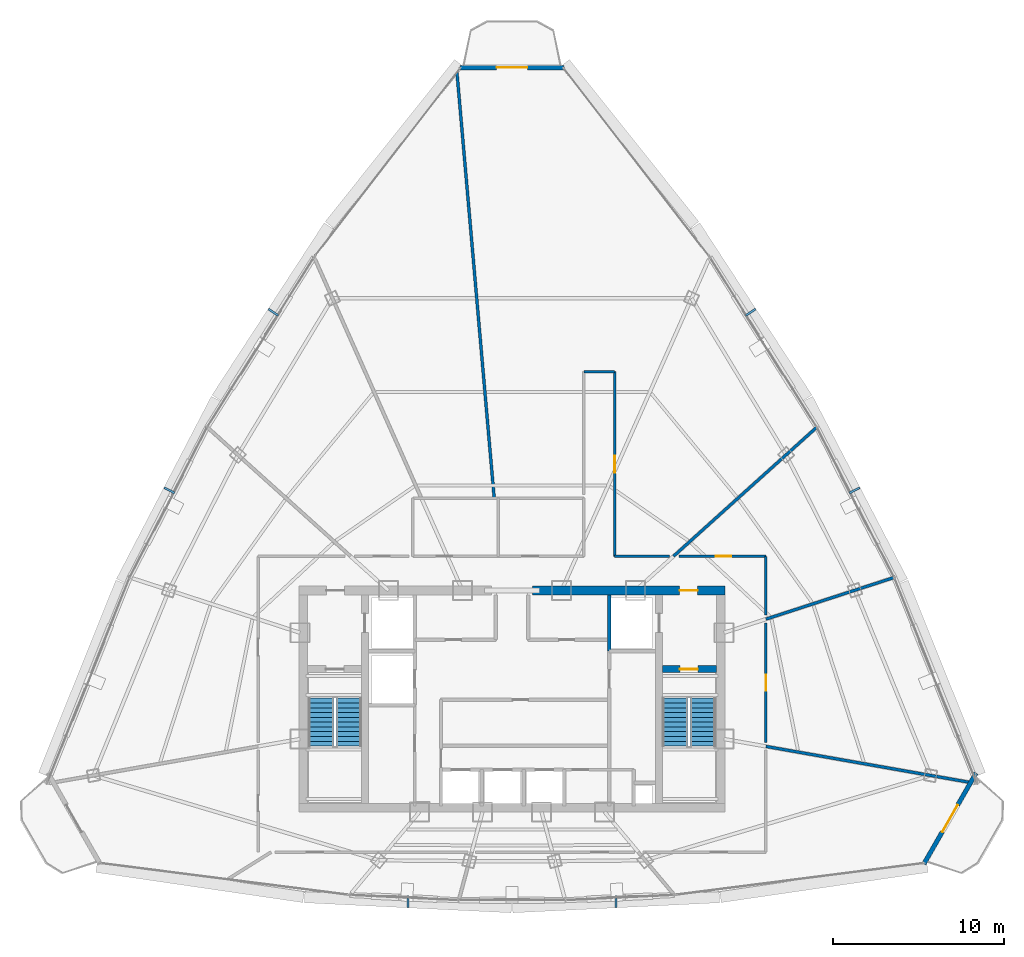
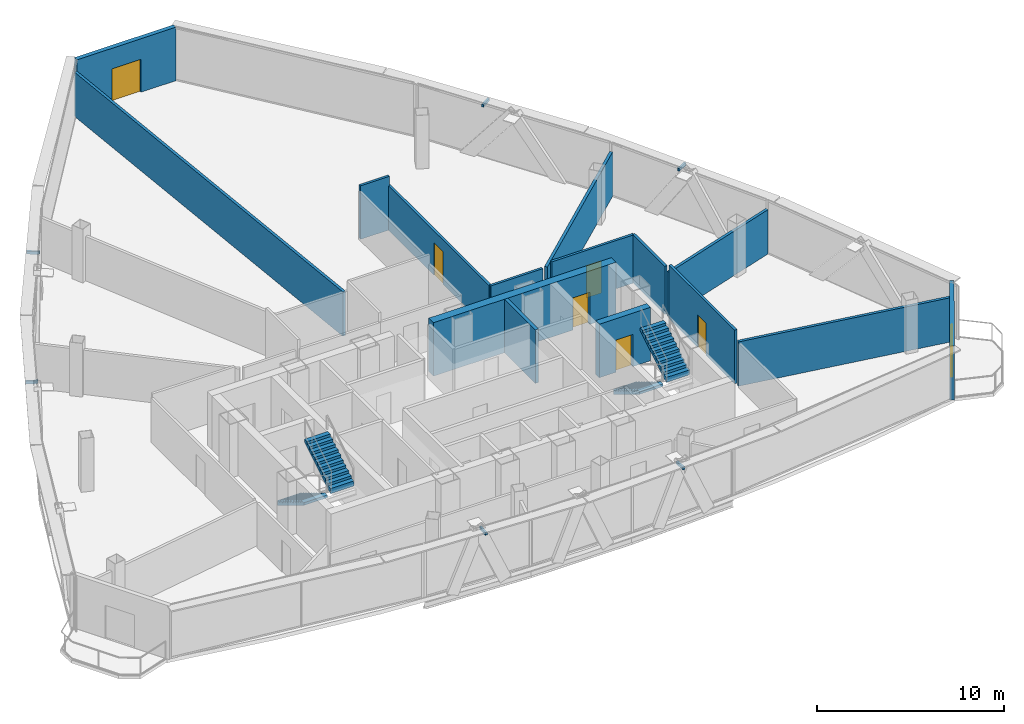
# One storey, part 27 of 30: 15 walls, 7 doors, 6 discrete accessories, 4 stair flights, 7 openings, 2 elements without a shape of their own.
"""IFC4 building model written with IfcOpenShell, lengths in metres."""

from ifc_helpers import new_model, si_unit, direction, frame, frame_2d, origin, origin_with_axes, origin_2d, place, context, subcontext, project, spatial, polyline, rectangle, outline, extrude, source, transform, mapped, material, layer, layer_set, type_object, element, fill, aggregate, save


model = new_model("IFC4")

# Units and contexts
model_context = context("Model", 3, precision=1e-05, world=origin(), true_north=direction((0.0, 1.0)))
body_context = subcontext(model_context, "Body", "Model", "MODEL_VIEW")
ifc_project = project(units=[si_unit("LENGTHUNIT", "METRE"), si_unit("AREAUNIT", "SQUARE_METRE"), si_unit("VOLUMEUNIT", "CUBIC_METRE"), si_unit("PLANEANGLEUNIT", "RADIAN"), si_unit("MASSUNIT", "GRAM", prefix="KILO"), si_unit("THERMODYNAMICTEMPERATUREUNIT", "KELVIN"), si_unit("POWERUNIT", "WATT")], contexts=[model_context])

# Site, building, storey
site_placement = place(None, origin())
site = spatial("IfcSite", under=ifc_project, at=site_placement, CompositionType="ELEMENT")
building_placement = place(site_placement, origin())
building = spatial("IfcBuilding", under=site, at=building_placement, Name="Yunzhuo Pagoda Commons", CompositionType="ELEMENT")
storey_placement = place(building_placement, frame((0.0, 0.0, 355.510009765625)))
storey = spatial("IfcBuildingStorey", under=building, at=storey_placement, Name="L89", CompositionType="ELEMENT", Elevation=355.510009765625)

# Wall, opening, door
ifc_material_1 = material(Name="Precast concrete C40", Category="concrete")
ifc_layer_1 = layer(ifc_material_1, 0.260009765625)
ifc_layer_set_1 = layer_set([ifc_layer_1], Name="Precast concrete C40")
wall_type_1 = type_object("IfcWallType", Name="W-BAL1 Corner Balcony Threshold Wall 260", PredefinedType="STANDARD", material=ifc_layer_set_1)
wall_1_placement = place(storey_placement, frame((72.085693359375, 24.211669921875, 0.0), z_axis=(0.0, 0.0, 1.0), x_axis=(0.49795859982, 0.867200803082, 0.0)))
wall_1 = element("IfcWall", 1, at=wall_1_placement, inside=storey, type_object=wall_type_1, Name="L89 corner balcony wall V2", PredefinedType="STANDARD", context=body_context, shape_type="SweptSolid", body=[
    extrude(rectangle(XDim=6.12255859375, YDim=0.260009765625, at=frame_2d((3.061279296875, 0.0))), origin(), (0.0, 0.0, 1.0), 3.489990234375),
])
opening_1_placement = place(wall_1_placement, frame((2.161376953125, 0.0, 0.0)))
opening_1 = element("IfcOpeningElement", 2, at=opening_1_placement, cuts=wall_1, Name="Opening D-BAL1", PredefinedType="OPENING", context=body_context, shape_type="SweptSolid", body=[
    extrude(rectangle(XDim=1.800048828125, YDim=2.14990234375, at=frame_2d((0.89990234375, 1.074951171875))), frame((0.0, 0.14013671875, 0.0), z_axis=(0.0, -1.0, 0.0), x_axis=(1.0, 0.0, 0.0)), (0.0, 0.0, 1.0), 0.280029296875),
])
ifc_material_2 = material(Name="Anodized aluminium frame and tempered glazed leaf", Category="aluminium")
door_type_1 = type_object("IfcDoorType", Name="D-BAL1 Corner Balcony Sliding Glazed Door 1800x2150", OperationType="DOUBLE_DOOR_SLIDING", PredefinedType="DOOR", material=ifc_material_2)
shared_shape_1 = source(origin(), body_context, "Body", "SweptSolid", [
    extrude(rectangle(XDim=1.800048828125, YDim=2.14990234375, at=frame_2d((0.89990234375, 1.074951171875))), frame((0.0, 0.02490234375, 0.0), z_axis=(0.0, -1.0, 0.0), x_axis=(1.0, 0.0, 0.0)), (0.0, 0.0, 1.0), 0.050048828125),
])
door_1_placement = place(opening_1_placement, origin_with_axes())
door_1 = element("IfcDoor", 3, at=door_1_placement, inside=storey, type_object=door_type_1, Name="L89 corner balcony sliding door V2", OperationType="DOUBLE_DOOR_SLIDING", OverallHeight=2.14990234375, OverallWidth=1.800048828125, PredefinedType="DOOR", context=body_context, shape_type="MappedRepresentation", body=[
    mapped(shared_shape_1, transform((0.0, 0.0, 0.0), scale=1.0)),
])
fill(opening_1, door_1)

wall_2_placement = place(storey_placement, frame((51.04931640625, 70.779052734375, 0.0), z_axis=(0.0, 0.0, 1.0), x_axis=(-1.0, 0.0, 0.0)))
wall_2 = element("IfcWall", 4, at=wall_2_placement, inside=storey, type_object=wall_type_1, Name="L89 corner balcony wall V3", PredefinedType="STANDARD", context=body_context, shape_type="SweptSolid", body=[
    extrude(rectangle(XDim=6.0986328125, YDim=0.260009765625, at=frame_2d((3.04931640625, 0.0))), origin(), (0.0, 0.0, 1.0), 3.489990234375),
])
opening_2_placement = place(wall_2_placement, frame((2.149169921875, 0.0, 0.0)))
opening_2 = element("IfcOpeningElement", 5, at=opening_2_placement, cuts=wall_2, Name="Opening D-BAL1", PredefinedType="OPENING", context=body_context, shape_type="SweptSolid", body=[
    extrude(rectangle(XDim=1.800048828125, YDim=2.14990234375, at=frame_2d((0.89990234375, 1.074951171875))), frame((0.0, 0.14013671875, 0.0), z_axis=(0.0, -1.0, 0.0), x_axis=(1.0, 0.0, 0.0)), (0.0, 0.0, 1.0), 0.280029296875),
])
door_2_placement = place(opening_2_placement, origin_with_axes())
door_2 = element("IfcDoor", 6, at=door_2_placement, inside=storey, type_object=door_type_1, Name="L89 corner balcony sliding door V3", OperationType="DOUBLE_DOOR_SLIDING", OverallHeight=2.14990234375, OverallWidth=1.800048828125, PredefinedType="DOOR", context=body_context, shape_type="MappedRepresentation", body=[
    mapped(shared_shape_1, transform((0.0, 0.0, 0.0), scale=1.0)),
])
fill(opening_2, door_2)

ifc_material_3 = material(Name="Concrete C50", Category="concrete")
ifc_layer_2 = layer(ifc_material_3, 0.5)
ifc_layer_set_2 = layer_set([ifc_layer_2], Name="Concrete C50")
wall_type_2 = type_object("IfcWallType", Name="W-C03 Upper Core Shear Wall 500", PredefinedType="SHEAR", material=ifc_layer_set_2)
wall_3_placement = place(storey_placement, frame((49.199951171875, 40.199951171875, 0.0), z_axis=(0.0, 0.0, 1.0), x_axis=(1.0, 0.0, 0.0)))
wall_3 = element("IfcWall", 7, at=wall_3_placement, inside=storey, type_object=wall_type_2, Name="L89 core shear wall NE", PredefinedType="SHEAR", context=body_context, shape_type="SweptSolid", body=[
    extrude(rectangle(XDim=11.25, YDim=0.5, at=frame_2d((5.625, 0.0))), origin(), (0.0, 0.0, 1.0), 3.489990234375),
])
opening_3_placement = place(wall_3_placement, frame((8.60009765625, 0.0, 0.0)))
opening_3 = element("IfcOpeningElement", 8, at=opening_3_placement, cuts=wall_3, Name="Opening D-02", PredefinedType="OPENING", context=body_context, shape_type="SweptSolid", body=[
    extrude(rectangle(XDim=1.050048828125, YDim=2.10009765625, at=frame_2d((0.52490234375, 1.050048828125))), frame((0.0, 0.260009765625, 0.0), z_axis=(0.0, -1.0, 0.0), x_axis=(1.0, 0.0, 0.0)), (0.0, 0.0, 1.0), 0.52001953125),
])
ifc_material_4 = material(Name="Galvanized fire-resisting metal leaf")
door_type_2 = type_object("IfcDoorType", Name="D-02 Firefighting Lobby & Refuge Fire Door 1050x2100", OperationType="NOTDEFINED", PredefinedType="DOOR", material=ifc_material_4)
shared_shape_2 = source(origin(), body_context, "Body", "SweptSolid", [
    extrude(rectangle(XDim=1.050048828125, YDim=2.10009765625, at=frame_2d((0.52490234375, 1.050048828125))), frame((0.0, 0.02490234375, 0.0), z_axis=(0.0, -1.0, 0.0), x_axis=(1.0, 0.0, 0.0)), (0.0, 0.0, 1.0), 0.050048828125),
])
door_3_placement = place(opening_3_placement, frame((1.050048828125, 0.0, 0.0), z_axis=(0.0, 0.0, 1.0), x_axis=(-1.0, 0.0, 0.0)))
door_3 = element("IfcDoor", 9, at=door_3_placement, inside=storey, type_object=door_type_2, Name="L89 Firefighting Lobby 2 fire door", OperationType="SINGLE_SWING_RIGHT", OverallHeight=2.10009765625, OverallWidth=1.050048828125, PredefinedType="DOOR", context=body_context, shape_type="MappedRepresentation", body=[
    mapped(shared_shape_2, transform((0.0, 0.0, 0.0), scale=1.0)),
])
fill(opening_3, door_3)

# Wall
ifc_material_5 = material(Name="Gypsum plasterboard on acoustic stud")
ifc_layer_3 = layer(ifc_material_5, 0.14990234375)
ifc_layer_set_3 = layer_set([ifc_layer_3], Name="Gypsum plasterboard on acoustic stud")
wall_type_3 = type_object("IfcWallType", Name="W-COR3 High-Zone Rated Corridor Wall 150", PredefinedType="PARTITIONING", material=ifc_layer_set_3)
wall_4_placement = place(storey_placement, frame((52.199951171875, 53.0, 0.0), z_axis=(0.0, 0.0, 1.0), x_axis=(1.0, 0.0, 0.0)))
element("IfcWall", 10, at=wall_4_placement, inside=storey, type_object=wall_type_3, Name="L89 interior wall IW-L89-CWL06", PredefinedType="PARTITIONING", context=body_context, shape_type="SweptSolid", body=[
    extrude(rectangle(XDim=1.800048828125, YDim=0.14990234375, at=frame_2d((0.89990234375, 0.0))), origin(), (0.0, 0.0, 1.0), 3.489990234375),
])

# Wall, opening, door
wall_5_placement = place(storey_placement, frame((54.0, 53.0, 0.0), z_axis=(0.0, 0.0, 1.0), x_axis=(0.0, -1.0, 0.0)))
wall_5 = element("IfcWall", 11, at=wall_5_placement, inside=storey, type_object=wall_type_3, Name="L89 interior wall IW-L89-CWL07", PredefinedType="PARTITIONING", context=body_context, shape_type="SweptSolid", body=[
    extrude(rectangle(XDim=10.800048828125, YDim=0.14990234375, at=frame_2d((5.39990234375, 0.0))), origin(), (0.0, 0.0, 1.0), 2.889892578125),
])
opening_4_placement = place(wall_5_placement, frame((4.925048828125, 0.0, 0.0)))
opening_4 = element("IfcOpeningElement", 12, at=opening_4_placement, cuts=wall_5, Name="Opening D-08", PredefinedType="OPENING", context=body_context, shape_type="SweptSolid", body=[
    extrude(rectangle(XDim=0.97998046875, YDim=2.1201171875, at=frame_2d((0.489990234375, 1.06005859375))), frame((0.0, 0.0849609375, 0.0), z_axis=(0.0, -1.0, 0.0), x_axis=(1.0, 0.0, 0.0)), (0.0, 0.0, 1.0), 0.169921875),
])
door_type_3 = type_object("IfcDoorType", Name="D-08 High-Zone Suite Entrance Fire Door 980x2120", OperationType="NOTDEFINED", PredefinedType="DOOR", material=ifc_material_4)
shared_shape_3 = source(origin(), body_context, "Body", "SweptSolid", [
    extrude(rectangle(XDim=0.97998046875, YDim=2.1201171875, at=frame_2d((0.489990234375, 1.06005859375))), frame((0.0, 0.02490234375, 0.0), z_axis=(0.0, -1.0, 0.0), x_axis=(1.0, 0.0, 0.0)), (0.0, 0.0, 1.0), 0.050048828125),
])
door_4_placement = place(opening_4_placement, origin_with_axes())
door_4 = element("IfcDoor", 13, at=door_4_placement, inside=storey, type_object=door_type_3, Name="L89 Shared Resident Kitchen and Pantry door", OperationType="SINGLE_SWING_LEFT", OverallHeight=2.1201171875, OverallWidth=0.97998046875, PredefinedType="DOOR", context=body_context, shape_type="MappedRepresentation", body=[
    mapped(shared_shape_3, transform((0.0, 0.0, 0.0), scale=1.0)),
])
fill(opening_4, door_4)

# Wall
wall_6_placement = place(storey_placement, frame((54.0, 42.199951171875, 0.0), z_axis=(0.0, 0.0, 1.0), x_axis=(1.0, 0.0, 0.0)))
element("IfcWall", 14, at=wall_6_placement, inside=storey, type_object=wall_type_3, Name="L89 interior wall IW-L89-CWL08", PredefinedType="PARTITIONING", context=body_context, shape_type="SweptSolid", body=[
    extrude(rectangle(XDim=3.220458984375, YDim=0.14990234375, at=frame_2d((1.6103515625, 0.0))), origin(), (0.0, 0.0, 1.0), 2.889892578125),
])

# Wall, opening, door
wall_7_placement = place(storey_placement, frame((57.76904296875, 42.199951171875, 0.0), z_axis=(0.0, 0.0, 1.0), x_axis=(1.0, 0.0, 0.0)))
wall_7 = element("IfcWall", 15, at=wall_7_placement, inside=storey, type_object=wall_type_3, Name="L89 interior wall IW-L89-CWL09", PredefinedType="PARTITIONING", context=body_context, shape_type="SweptSolid", body=[
    extrude(rectangle(XDim=5.0810546875, YDim=0.14990234375, at=frame_2d((2.54052734375, 0.0))), origin(), (0.0, 0.0, 1.0), 3.139892578125),
])
opening_5_placement = place(wall_7_placement, frame((2.14599609375, 0.0, 0.0)))
opening_5 = element("IfcOpeningElement", 16, at=opening_5_placement, cuts=wall_7, Name="Opening D-04", PredefinedType="OPENING", context=body_context, shape_type="SweptSolid", body=[
    extrude(rectangle(XDim=0.919921875, YDim=2.10009765625, at=frame_2d((0.4599609375, 1.050048828125))), frame((0.0, 0.0849609375, 0.0), z_axis=(0.0, -1.0, 0.0), x_axis=(1.0, 0.0, 0.0)), (0.0, 0.0, 1.0), 0.169921875),
])
ifc_material_6 = material(Name="Powder-coated aluminium and timber acoustic leaf", Category="wood")
door_type_4 = type_object("IfcDoorType", Name="D-04 Bedroom & Study Interior Door 920x2100", OperationType="NOTDEFINED", PredefinedType="DOOR", material=ifc_material_6)
shared_shape_4 = source(origin(), body_context, "Body", "SweptSolid", [
    extrude(rectangle(XDim=0.919921875, YDim=2.10009765625, at=frame_2d((0.4599609375, 1.050048828125))), frame((0.0, 0.02490234375, 0.0), z_axis=(0.0, -1.0, 0.0), x_axis=(1.0, 0.0, 0.0)), (0.0, 0.0, 1.0), 0.050048828125),
])
door_5_placement = place(opening_5_placement, origin_with_axes())
door_5 = element("IfcDoor", 17, at=door_5_placement, inside=storey, type_object=door_type_4, Name="L89 seminar room 02 door", OperationType="SINGLE_SWING_RIGHT", OverallHeight=2.10009765625, OverallWidth=0.919921875, PredefinedType="DOOR", context=body_context, shape_type="MappedRepresentation", body=[
    mapped(shared_shape_4, transform((0.0, 0.0, 0.0), scale=1.0)),
])
fill(opening_5, door_5)

# Wall
wall_8_placement = place(storey_placement, frame((62.85009765625, 42.199951171875, 0.0), z_axis=(0.0, 0.0, 1.0), x_axis=(0.0, -1.0, 0.0)))
element("IfcWall", 18, at=wall_8_placement, inside=storey, type_object=wall_type_3, Name="L89 interior wall IW-L89-CWL10", PredefinedType="PARTITIONING", context=body_context, shape_type="SweptSolid", body=[
    extrude(rectangle(XDim=3.443603515625, YDim=0.14990234375, at=frame_2d((1.7216796875, 0.0))), origin(), (0.0, 0.0, 1.0), 3.139892578125),
])

# Wall, opening, door
wall_9_placement = place(storey_placement, frame((62.85009765625, 38.305419921875, 0.0), z_axis=(0.0, 0.0, 1.0), x_axis=(0.0, -1.0, 0.0)))
wall_9 = element("IfcWall", 19, at=wall_9_placement, inside=storey, type_object=wall_type_3, Name="L89 interior wall IW-L89-CWL11", PredefinedType="PARTITIONING", context=body_context, shape_type="SweptSolid", body=[
    extrude(rectangle(XDim=7.004150390625, YDim=0.14990234375, at=frame_2d((3.501953125, 0.0))), origin(), (0.0, 0.0, 1.0), 3.489990234375),
])
opening_6_placement = place(wall_9_placement, frame((3.0419921875, 0.0, 0.0)))
opening_6 = element("IfcOpeningElement", 20, at=opening_6_placement, cuts=wall_9, Name="Opening D-04", PredefinedType="OPENING", context=body_context, shape_type="SweptSolid", body=[
    extrude(rectangle(XDim=0.919921875, YDim=2.10009765625, at=frame_2d((0.4599609375, 1.050048828125))), frame((0.0, 0.0849609375, 0.0), z_axis=(0.0, -1.0, 0.0), x_axis=(1.0, 0.0, 0.0)), (0.0, 0.0, 1.0), 0.169921875),
])
door_6_placement = place(opening_6_placement, origin_with_axes())
door_6 = element("IfcDoor", 21, at=door_6_placement, inside=storey, type_object=door_type_4, Name="L89 seminar room 01 door", OperationType="SINGLE_SWING_LEFT", OverallHeight=2.10009765625, OverallWidth=0.919921875, PredefinedType="DOOR", context=body_context, shape_type="MappedRepresentation", body=[
    mapped(shared_shape_4, transform((0.0, 0.0, 0.0), scale=1.0)),
])
fill(opening_6, door_6)

# Walls
ifc_layer_4 = layer(ifc_material_5, 0.169921875)
ifc_layer_set_4 = layer_set([ifc_layer_4], Name="Gypsum plasterboard on acoustic stud")
wall_type_4 = type_object("IfcWallType", Name="W-PRT4 High-Zone Demising Wall 170", PredefinedType="PARTITIONING", material=ifc_layer_set_4)
wall_10_placement = place(storey_placement, frame((62.85009765625, 38.525146484375, 0.0), z_axis=(0.0, 0.0, 1.0), x_axis=(0.951060216318, 0.309005606642, 0.0)))
element("IfcWall", 22, at=wall_10_placement, inside=storey, type_object=wall_type_4, Name="L89 interior wall IW-L89-RAD01", PredefinedType="PARTITIONING", context=body_context, shape_type="SweptSolid", body=[
    extrude(rectangle(XDim=7.889892578125, YDim=0.169921875, at=frame_2d((3.94482421875, 0.0))), origin(), (0.0, 0.0, 1.0), 2.889892578125),
])
wall_11_placement = place(storey_placement, frame((57.440185546875, 42.199951171875, 0.0), z_axis=(0.0, 0.0, 1.0), x_axis=(0.74314133574, 0.669134482085, 0.0)))
element("IfcWall", 23, at=wall_11_placement, inside=storey, type_object=wall_type_4, Name="L89 interior wall IW-L89-RAD02", PredefinedType="PARTITIONING", context=body_context, shape_type="SweptSolid", body=[
    extrude(rectangle(XDim=11.2822265625, YDim=0.169921875, at=frame_2d((5.64111328125, 0.0))), origin(), (0.0, 0.0, 1.0), 2.889892578125),
])
wall_12_placement = place(storey_placement, frame((46.958984375, 45.60009765625, 0.0), z_axis=(0.0, 0.0, 1.0), x_axis=(-0.087155434332, 0.996194725075, 0.0)))
element("IfcWall", 24, at=wall_12_placement, inside=storey, type_object=wall_type_4, Name="L89 interior wall IW-L89-RAD03", PredefinedType="PARTITIONING", context=body_context, shape_type="SweptSolid", body=[
    extrude(rectangle(XDim=24.98388671875, YDim=0.169921875, at=frame_2d((12.491943359375, 0.0))), origin(), (0.0, 0.0, 1.0), 2.889892578125),
])
wall_13_placement = place(storey_placement, frame((62.85009765625, 31.08154296875, 0.0), z_axis=(0.0, 0.0, 1.0), x_axis=(0.984808019511, -0.173646666272, 0.0)))
element("IfcWall", 25, at=wall_13_placement, inside=storey, type_object=wall_type_4, Name="L89 interior wall IW-L89-RAD10", PredefinedType="PARTITIONING", context=body_context, shape_type="SweptSolid", body=[
    extrude(rectangle(XDim=12.153076171875, YDim=0.169921875, at=frame_2d((6.07666015625, 0.0))), origin(), (0.0, 0.0, 1.0), 2.889892578125),
])

# Wall, opening, door
ifc_material_7 = material(Name="Concrete C60", Category="concrete")
ifc_layer_5 = layer(ifc_material_7, 0.39990234375)
ifc_layer_set_5 = layer_set([ifc_layer_5], Name="Concrete C60")
wall_type_5 = type_object("IfcWallType", Name="W-S01 Internal Core Shear Web 400", PredefinedType="SHEAR", material=ifc_layer_set_5)
wall_14_placement = place(storey_placement, frame((56.800048828125, 35.60009765625, 0.0), z_axis=(0.0, 0.0, 1.0), x_axis=(1.0, 0.0, 0.0)))
wall_14 = element("IfcWall", 26, at=wall_14_placement, inside=storey, type_object=wall_type_5, Name="L89 core shear wall STE", PredefinedType="SHEAR", context=body_context, shape_type="SweptSolid", body=[
    extrude(rectangle(XDim=3.14990234375, YDim=0.39990234375, at=frame_2d((1.574951171875, 0.0))), origin(), (0.0, 0.0, 1.0), 3.489990234375),
])
opening_7_placement = place(wall_14_placement, frame((1.02001953125, 0.0, 0.0)))
opening_7 = element("IfcOpeningElement", 27, at=opening_7_placement, cuts=wall_14, Name="Opening D-01", PredefinedType="OPENING", context=body_context, shape_type="SweptSolid", body=[
    extrude(rectangle(XDim=1.050048828125, YDim=2.10009765625, at=frame_2d((0.52490234375, 1.050048828125))), frame((0.0, 0.2099609375, 0.0), z_axis=(0.0, -1.0, 0.0), x_axis=(1.0, 0.0, 0.0)), (0.0, 0.0, 1.0), 0.419921875),
])
door_type_5 = type_object("IfcDoorType", Name="D-01 Smokeproof Stair Fire Door 1050x2100", OperationType="NOTDEFINED", PredefinedType="DOOR", material=ifc_material_4)
door_7_placement = place(opening_7_placement, frame((1.050048828125, 0.0, 0.0), z_axis=(0.0, 0.0, 1.0), x_axis=(-1.0, 0.0, 0.0)))
door_7 = element("IfcDoor", 28, at=door_7_placement, inside=storey, type_object=door_type_5, Name="L89 Stair ST2 fire door", OperationType="SINGLE_SWING_RIGHT", OverallHeight=2.10009765625, OverallWidth=1.050048828125, PredefinedType="DOOR", context=body_context, shape_type="MappedRepresentation", body=[
    mapped(shared_shape_2, transform((0.0, 0.0, 0.0), scale=1.0)),
])
fill(opening_7, door_7)

# Wall
ifc_material_8 = material(Name="Concrete C40", Category="concrete")
ifc_layer_6 = layer(ifc_material_8, 0.199951171875)
ifc_layer_set_6 = layer_set([ifc_layer_6], Name="Concrete C40")
wall_type_6 = type_object("IfcWallType", Name="W-SHF Shaft & Stair Enclosure Wall 200", PredefinedType="SOLIDWALL", material=ifc_layer_set_6)
wall_15_placement = place(storey_placement, frame((53.679931640625, 36.64990234375, 0.0), z_axis=(0.0, 0.0, 1.0), x_axis=(0.0, 1.0, 0.0)))
element("IfcWall", 29, at=wall_15_placement, inside=storey, type_object=wall_type_6, Name="L89 interior wall IW-L89-FL2W", PredefinedType="SOLIDWALL", context=body_context, shape_type="SweptSolid", body=[
    extrude(rectangle(XDim=3.300048828125, YDim=0.199951171875, at=frame_2d((1.64990234375, 0.0))), origin(), (0.0, 0.0, 1.0), 3.489990234375),
])

# Stair, stair flights
stair_type_1 = type_object("IfcStairType", Name="ST-C1 Core Smokeproof Stair ST1", PredefinedType="HALF_TURN_STAIR", material=ifc_material_8)
stair_1_placement = place(storey_placement, origin())
stair_1 = element("IfcStair", 30, at=stair_1_placement, inside=storey, type_object=stair_type_1, Name="L89 Core smokeproof stair ST1", PredefinedType="HALF_TURN_STAIR")
stair_flight_type_1 = type_object("IfcStairFlightType", Name="STF-C1 Core Stair Flight 1450", PredefinedType="STRAIGHT", material=ifc_material_8)
shared_shape_5 = source(origin(), body_context, "Body", "SweptSolid", [
    extrude(outline(polyline([(0.0, -0.14990234375), (0.0, 0.0), (0.0, 0.17041015625), (0.280029296875, 0.17041015625), (0.280029296875, 0.3408203125), (0.56005859375, 0.3408203125), (0.56005859375, 0.511474609375), (0.840087890625, 0.511474609375), (0.840087890625, 0.681884765625), (1.1201171875, 0.681884765625), (1.1201171875, 0.852294921875), (1.39990234375, 0.852294921875), (1.39990234375, 1.022705078125), (1.679931640625, 1.022705078125), (1.679931640625, 1.193115234375), (1.9599609375, 1.193115234375), (1.9599609375, 1.363525390625), (2.239990234375, 1.363525390625), (2.239990234375, 1.5341796875), (2.52001953125, 1.5341796875), (2.52001953125, 1.70458984375), (2.800048828125, 1.70458984375), (2.800048828125, 1.875), (2.800048828125, 1.529052734375), (0.288330078125, 0.0), (0.050048828125, -0.14990234375), (0.0, -0.14990234375)])), frame((0.0, 0.72509765625, 0.0), z_axis=(0.0, -1.0, 0.0), x_axis=(1.0, 0.0, 0.0)), (0.0, 0.0, 1.0), 1.449951171875),
])
stair_flight_1_placement = place(storey_placement, frame((36.824951171875, 33.89990234375, 0.0), z_axis=(0.0, 0.0, 1.0), x_axis=(0.0, -1.0, 0.0)))
stair_flight_1 = element("IfcStairFlight", 31, at=stair_flight_1_placement, type_object=stair_flight_type_1, Name="ST1 flight 1", NumberOfRisers=11, NumberOfTreads=10, PredefinedType="STRAIGHT", RiserHeight=0.170454545, TreadLength=0.28, context=body_context, shape_type="MappedRepresentation", body=[
    mapped(shared_shape_5, transform((0.0, 0.0, 0.0), scale=1.0)),
])
stair_flight_2_placement = place(storey_placement, frame((38.47509765625, 31.10009765625, 1.875), z_axis=(0.0, 0.0, 1.0), x_axis=(0.0, 1.0, 0.0)))
stair_flight_2 = element("IfcStairFlight", 32, at=stair_flight_2_placement, type_object=stair_flight_type_1, Name="ST1 flight 2", NumberOfRisers=11, NumberOfTreads=10, PredefinedType="STRAIGHT", RiserHeight=0.170454545, TreadLength=0.28, context=body_context, shape_type="MappedRepresentation", body=[
    mapped(shared_shape_5, transform((0.0, 0.0, 0.0), scale=1.0)),
])
aggregate(stair_1, [stair_flight_1, stair_flight_2])

stair_type_2 = type_object("IfcStairType", Name="ST-C2 Core Smokeproof Stair ST2", PredefinedType="HALF_TURN_STAIR", material=ifc_material_8)
stair_2_placement = place(storey_placement, origin())
stair_2 = element("IfcStair", 33, at=stair_2_placement, inside=storey, type_object=stair_type_2, Name="L89 Core smokeproof stair ST2", PredefinedType="HALF_TURN_STAIR")
stair_flight_type_2 = type_object("IfcStairFlightType", Name="STF-C2 Core Stair Flight 1460", PredefinedType="STRAIGHT", material=ifc_material_8)
stair_flight_3_placement = place(storey_placement, frame((57.52490234375, 33.89990234375, 0.0), z_axis=(0.0, 0.0, 1.0), x_axis=(0.0, -1.0, 0.0)))
stair_flight_3 = element("IfcStairFlight", 34, at=stair_flight_3_placement, type_object=stair_flight_type_2, Name="ST2 flight 1", NumberOfRisers=11, NumberOfTreads=10, PredefinedType="STRAIGHT", RiserHeight=0.170454545, TreadLength=0.28, context=body_context, shape_type="MappedRepresentation", body=[
    mapped(shared_shape_5, transform((0.0, 0.0, 0.0), scale=1.0)),
])
stair_flight_4_placement = place(storey_placement, frame((59.175048828125, 31.10009765625, 1.875), z_axis=(0.0, 0.0, 1.0), x_axis=(0.0, 1.0, 0.0)))
stair_flight_4 = element("IfcStairFlight", 35, at=stair_flight_4_placement, type_object=stair_flight_type_2, Name="ST2 flight 2", NumberOfRisers=11, NumberOfTreads=10, PredefinedType="STRAIGHT", RiserHeight=0.170454545, TreadLength=0.28, context=body_context, shape_type="MappedRepresentation", body=[
    mapped(shared_shape_5, transform((0.0, 0.0, 0.0), scale=1.0)),
])
aggregate(stair_2, [stair_flight_3, stair_flight_4])

# Discrete accessories
ifc_material_9 = material(Name="Anodized aluminium 6063-T6", Category="aluminium")
discrete_accessory_type = type_object("IfcDiscreteAccessoryType", Name="BK-SUN1 Sunshade Outrigger Bracket", PredefinedType="BRACKET", material=ifc_material_9)
shared_shape_6 = source(origin(), body_context, "Body", "SweptSolid", [
    extrude(rectangle(XDim=0.1201171875, YDim=0.679931640625, at=origin_2d()), origin(), (0.0, 0.0, 1.0), 0.179931640625),
])
for number, where, z_axis, x_axis, name in (
    (36, (41.922119140625, 22.01025390625, 3.27978515625), (0.0, 0.0, 1.0), (0.998818891953, -0.048588281289, 0.0), "L89 sunshade outrigger bracket F1.2"),
    (37, (54.077880859375, 22.01025390625, 3.27978515625), (0.0, 0.0, 1.0), (0.998818891953, 0.048588281289, 0.0), "L89 sunshade outrigger bracket F1.3"),
    (38, (68.03271484375, 46.05419921875, 3.27978515625), (0.0, 0.0, 1.0), (-0.461191196783, 0.88730078328, 0.0), "L89 sunshade outrigger bracket F2.2"),
    (39, (61.954345703125, 56.466796875, 3.27978515625), (0.0, 0.0, 1.0), (-0.545853380833, 0.837880711458, 0.0), "L89 sunshade outrigger bracket F2.3"),
    (40, (34.045654296875, 56.466796875, 3.27978515625), (0.0, 0.0, 1.0), (-0.545853380833, -0.837880711458, 0.0), "L89 sunshade outrigger bracket F3.2"),
    (41, (27.96728515625, 46.05419921875, 3.27978515625), (0.0, 0.0, 1.0), (-0.461191196783, -0.88730078328, 0.0), "L89 sunshade outrigger bracket F3.3"),
):
    element("IfcDiscreteAccessory", number, at=place(storey_placement, frame(where, z_axis=z_axis, x_axis=x_axis)), inside=storey, type_object=discrete_accessory_type, Name=name, PredefinedType="BRACKET", context=body_context, shape_type="MappedRepresentation", body=[
        mapped(shared_shape_6, transform((0.0, 0.0, 0.0), scale=1.0)),
    ])

save(model, "model.ifc")
